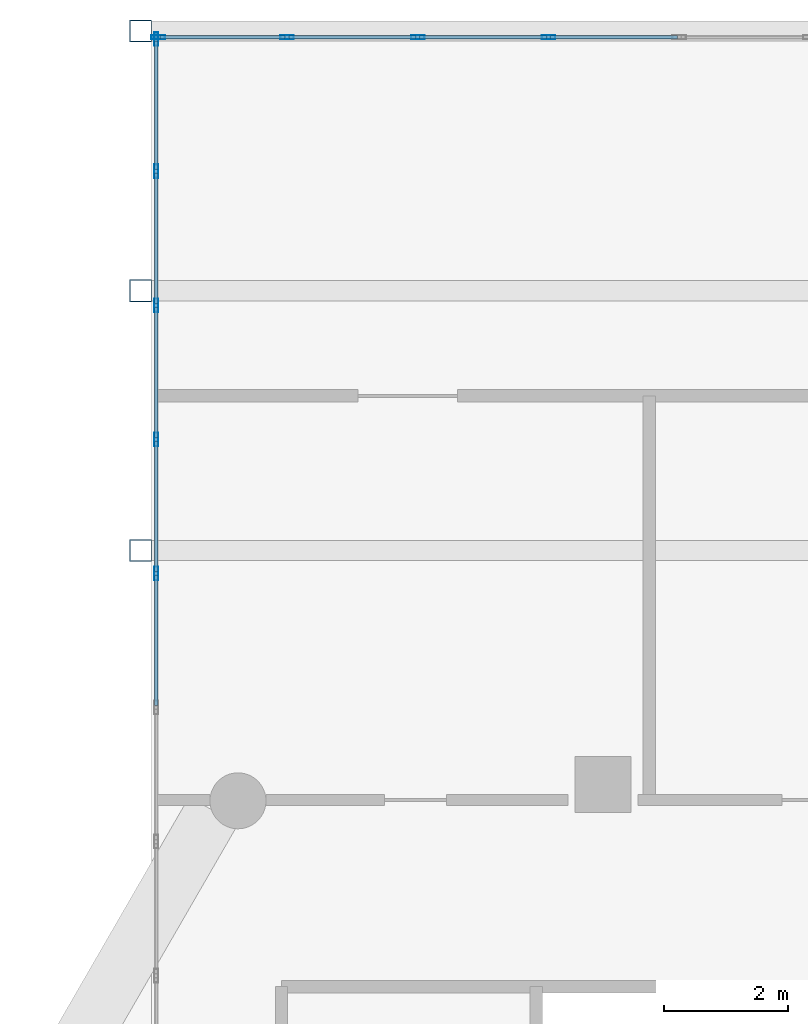
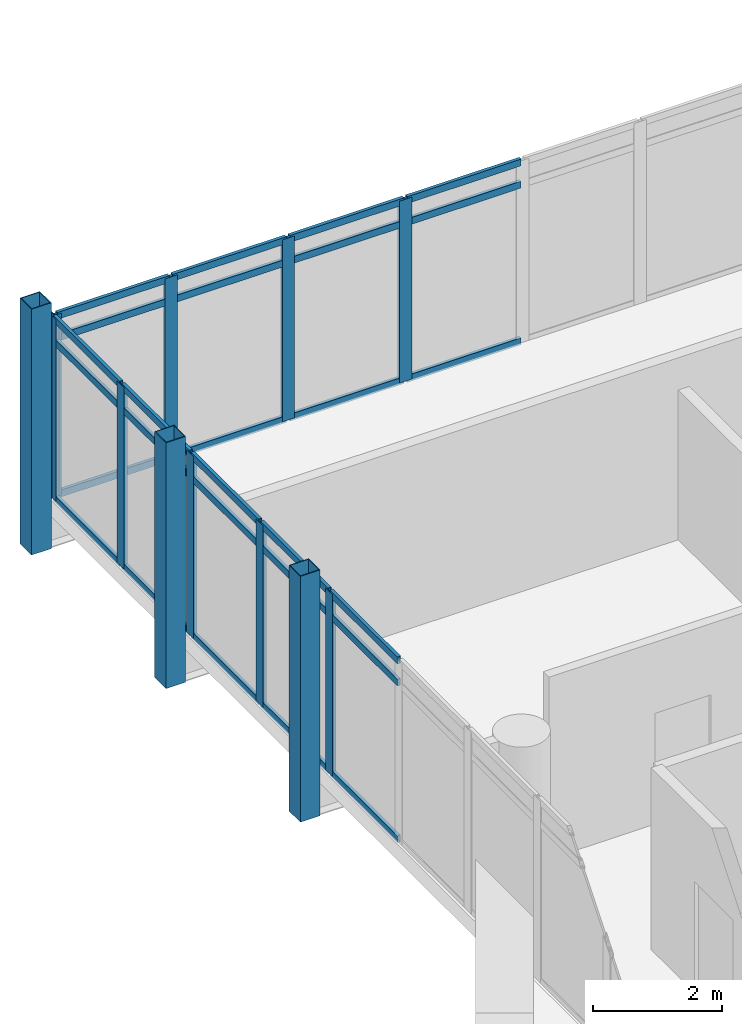
# One storey, part 13 of 25: 39 members, 2 elements without a shape of their own.
"""IFC4 building model written with IfcOpenShell, lengths in metres."""

from ifc_helpers import new_model, si_unit, direction, frame, origin, origin_2d, place, context, subcontext, project, spatial, hollow_rectangle, extrude, material, material_profile, profile_set, type_object, element, aggregate, save


model = new_model("IFC4")

# Units and contexts
model_context = context("Model", 3, precision=1e-05, world=origin(), true_north=direction((0.0, 1.0)))
body_context = subcontext(model_context, "Body", "Model", "MODEL_VIEW")
ifc_project = project(units=[si_unit("LENGTHUNIT", "METRE"), si_unit("AREAUNIT", "SQUARE_METRE"), si_unit("VOLUMEUNIT", "CUBIC_METRE"), si_unit("PLANEANGLEUNIT", "RADIAN"), si_unit("MASSUNIT", "GRAM", prefix="KILO")], contexts=[model_context])

# Site, building, storey
site_placement = place(None, origin())
site = spatial("IfcSite", under=ifc_project, at=site_placement, CompositionType="ELEMENT")
building_placement = place(site_placement, origin())
building = spatial("IfcBuilding", under=site, at=building_placement, Name="Ostrander Bayou Hotel Tower", CompositionType="ELEMENT")
storey_placement = place(building_placement, frame((0.0, 0.0, 233.25)))
storey = spatial("IfcBuildingStorey", under=building, at=storey_placement, Name="L58", CompositionType="ELEMENT", Elevation=233.25)

# Curtain wall, members
ifc_material_1 = material(Name="Aluminium and clear glass", Category="aluminium")
curtain_wall_type = type_object("IfcCurtainWallType", Name="CW-BAR glazed wall", PredefinedType="NOTDEFINED", material=ifc_material_1)
curtain_wall_1_placement = place(storey_placement, origin())
curtain_wall_1 = element("IfcCurtainWall", 1, at=curtain_wall_1_placement, inside=storey, type_object=curtain_wall_type, Name="CW-BAR L58:SB5N:E", PredefinedType="NOTDEFINED")
ifc_material_2 = material(Name="Aluminium", Category="aluminium")
ifc_material_profile_1 = material_profile(ifc_material_2, hollow_rectangle(XDim=0.06005859375, YDim=0.219970703125, WallThickness=0.00390625, at=origin_2d()))
ifc_profile_set_1 = profile_set([ifc_material_profile_1], Name="Aluminium")
member_type_1 = type_object("IfcMemberType", Name="CW-BR mullion 60 x 220 mm", PredefinedType="MULLION", material=ifc_profile_set_1)
member_1_placement = place(storey_placement, frame((-10.51220703125, 20.24365234375, 0.0), z_axis=(0.0, 0.0, 1.0), x_axis=(-1.0, 0.0, 0.0)))
member_1 = element("IfcMember", 2, at=member_1_placement, type_object=member_type_1, Name="CW-BAR mullion 6", PredefinedType="MULLION", context=body_context, shape_type="SweptSolid", body=[
    extrude(hollow_rectangle(XDim=0.06005859375, YDim=0.219970703125, WallThickness=0.00390625, at=origin_2d()), origin(), (0.0, 0.0, 1.0), 3.449951171875),
])
member_2_placement = place(storey_placement, frame((-10.51220703125, 22.3994140625, 0.0), z_axis=(0.0, 0.0, 1.0), x_axis=(-1.0, 0.0, 0.0)))
member_2 = element("IfcMember", 3, at=member_2_placement, type_object=member_type_1, Name="CW-BAR mullion 7", PredefinedType="MULLION", context=body_context, shape_type="SweptSolid", body=[
    extrude(hollow_rectangle(XDim=0.06005859375, YDim=0.219970703125, WallThickness=0.00390625, at=origin_2d()), origin(), (0.0, 0.0, 1.0), 3.449951171875),
])
member_3_placement = place(storey_placement, frame((-10.51220703125, 24.55517578125, 0.0), z_axis=(0.0, 0.0, 1.0), x_axis=(-1.0, 0.0, 0.0)))
member_3 = element("IfcMember", 4, at=member_3_placement, type_object=member_type_1, Name="CW-BAR mullion 8", PredefinedType="MULLION", context=body_context, shape_type="SweptSolid", body=[
    extrude(hollow_rectangle(XDim=0.06005859375, YDim=0.219970703125, WallThickness=0.00390625, at=origin_2d()), origin(), (0.0, 0.0, 1.0), 3.449951171875),
])
member_4_placement = place(storey_placement, frame((-10.51220703125, 26.7109375, 0.0), z_axis=(0.0, 0.0, 1.0), x_axis=(-1.0, 0.0, 0.0)))
member_4 = element("IfcMember", 5, at=member_4_placement, type_object=member_type_1, Name="CW-BAR mullion 9", PredefinedType="MULLION", context=body_context, shape_type="SweptSolid", body=[
    extrude(hollow_rectangle(XDim=0.06005859375, YDim=0.219970703125, WallThickness=0.00390625, at=origin_2d()), origin(), (0.0, 0.0, 1.0), 3.449951171875),
])
member_5_placement = place(storey_placement, frame((-10.51220703125, 28.836669921875, 0.0), z_axis=(0.0, 0.0, 1.0), x_axis=(-1.0, 0.0, 0.0)))
member_5 = element("IfcMember", 6, at=member_5_placement, type_object=member_type_1, Name="CW-BAR mullion 10", PredefinedType="MULLION", context=body_context, shape_type="SweptSolid", body=[
    extrude(hollow_rectangle(XDim=0.06005859375, YDim=0.219970703125, WallThickness=0.00390625, at=origin_2d()), origin(), (0.0, 0.0, 1.0), 3.449951171875),
])

curtain_wall_2_placement = place(storey_placement, origin())
curtain_wall_2 = element("IfcCurtainWall", 7, at=curtain_wall_2_placement, inside=storey, type_object=curtain_wall_type, Name="CW-BAR L58:SB5N:T", PredefinedType="NOTDEFINED")
member_6_placement = place(storey_placement, frame((-10.482177734375, 28.86669921875, 0.0), z_axis=(0.0, 0.0, 1.0), x_axis=(0.0, 1.0, 0.0)))
member_6 = element("IfcMember", 8, at=member_6_placement, type_object=member_type_1, Name="CW-BAR mullion 1", PredefinedType="MULLION", context=body_context, shape_type="SweptSolid", body=[
    extrude(hollow_rectangle(XDim=0.06005859375, YDim=0.219970703125, WallThickness=0.00390625, at=origin_2d()), origin(), (0.0, 0.0, 1.0), 3.449951171875),
])
member_7_placement = place(storey_placement, frame((-8.40966796875, 28.86669921875, 0.0), z_axis=(0.0, 0.0, 1.0), x_axis=(0.0, 1.0, 0.0)))
member_7 = element("IfcMember", 9, at=member_7_placement, type_object=member_type_1, Name="CW-BAR mullion 2", PredefinedType="MULLION", context=body_context, shape_type="SweptSolid", body=[
    extrude(hollow_rectangle(XDim=0.06005859375, YDim=0.219970703125, WallThickness=0.00390625, at=origin_2d()), origin(), (0.0, 0.0, 1.0), 3.449951171875),
])
member_8_placement = place(storey_placement, frame((-6.307373046875, 28.86669921875, 0.0), z_axis=(0.0, 0.0, 1.0), x_axis=(0.0, 1.0, 0.0)))
member_8 = element("IfcMember", 10, at=member_8_placement, type_object=member_type_1, Name="CW-BAR mullion 3", PredefinedType="MULLION", context=body_context, shape_type="SweptSolid", body=[
    extrude(hollow_rectangle(XDim=0.06005859375, YDim=0.219970703125, WallThickness=0.00390625, at=origin_2d()), origin(), (0.0, 0.0, 1.0), 3.449951171875),
])
member_9_placement = place(storey_placement, frame((-4.204833984375, 28.86669921875, 0.0), z_axis=(0.0, 0.0, 1.0), x_axis=(0.0, 1.0, 0.0)))
member_9 = element("IfcMember", 11, at=member_9_placement, type_object=member_type_1, Name="CW-BAR mullion 4", PredefinedType="MULLION", context=body_context, shape_type="SweptSolid", body=[
    extrude(hollow_rectangle(XDim=0.06005859375, YDim=0.219970703125, WallThickness=0.00390625, at=origin_2d()), origin(), (0.0, 0.0, 1.0), 3.449951171875),
])

# Member
ifc_material_3 = material(Name="Aluminium", Category="aluminium")
ifc_material_profile_2 = material_profile(ifc_material_3, hollow_rectangle(XDim=0.06005859375, YDim=0.1298828125, WallThickness=0.00390625, at=origin_2d()))
ifc_profile_set_2 = profile_set([ifc_material_profile_2], Name="Aluminium")
member_type_2 = type_object("IfcMemberType", Name="CW-BR transom 60 x 130 mm", PredefinedType="USERDEFINED", material=ifc_profile_set_2)
member_10_placement = place(storey_placement, frame((-10.51220703125, 18.117919921875, 0.030029296875), z_axis=(0.0, 1.0, 0.0), x_axis=(-1.0, 0.0, 0.0)))
member_10 = element("IfcMember", 12, at=member_10_placement, type_object=member_type_2, Name="CW-BAR transom 5.1", ObjectType="TRANSOM", PredefinedType="USERDEFINED", context=body_context, shape_type="SweptSolid", body=[
    extrude(hollow_rectangle(XDim=0.06005859375, YDim=0.1298828125, WallThickness=0.00390625, at=origin_2d()), origin(), (0.0, 0.0, 1.0), 2.095703125),
])

member_11_placement = place(storey_placement, frame((-10.51220703125, 18.117919921875, 3.0), z_axis=(0.0, 1.0, 0.0), x_axis=(-1.0, 0.0, 0.0)))
member_11 = element("IfcMember", 13, at=member_11_placement, type_object=member_type_2, Name="CW-BAR transom 5.2", ObjectType="TRANSOM", PredefinedType="USERDEFINED", context=body_context, shape_type="SweptSolid", body=[
    extrude(hollow_rectangle(XDim=0.06005859375, YDim=0.1298828125, WallThickness=0.00390625, at=origin_2d()), origin(), (0.0, 0.0, 1.0), 2.095703125),
])

member_12_placement = place(storey_placement, frame((-10.51220703125, 18.117919921875, 3.419921875), z_axis=(0.0, 1.0, 0.0), x_axis=(-1.0, 0.0, 0.0)))
member_12 = element("IfcMember", 14, at=member_12_placement, type_object=member_type_2, Name="CW-BAR transom 5.3", ObjectType="TRANSOM", PredefinedType="USERDEFINED", context=body_context, shape_type="SweptSolid", body=[
    extrude(hollow_rectangle(XDim=0.06005859375, YDim=0.1298828125, WallThickness=0.00390625, at=origin_2d()), origin(), (0.0, 0.0, 1.0), 2.095703125),
])

member_13_placement = place(storey_placement, frame((-10.51220703125, 20.273681640625, 0.030029296875), z_axis=(0.0, 1.0, 0.0), x_axis=(-1.0, 0.0, 0.0)))
member_13 = element("IfcMember", 15, at=member_13_placement, type_object=member_type_2, Name="CW-BAR transom 6.1", ObjectType="TRANSOM", PredefinedType="USERDEFINED", context=body_context, shape_type="SweptSolid", body=[
    extrude(hollow_rectangle(XDim=0.06005859375, YDim=0.1298828125, WallThickness=0.00390625, at=origin_2d()), origin(), (0.0, 0.0, 1.0), 2.095703125),
])

member_14_placement = place(storey_placement, frame((-10.51220703125, 20.273681640625, 3.0), z_axis=(0.0, 1.0, 0.0), x_axis=(-1.0, 0.0, 0.0)))
member_14 = element("IfcMember", 16, at=member_14_placement, type_object=member_type_2, Name="CW-BAR transom 6.2", ObjectType="TRANSOM", PredefinedType="USERDEFINED", context=body_context, shape_type="SweptSolid", body=[
    extrude(hollow_rectangle(XDim=0.06005859375, YDim=0.1298828125, WallThickness=0.00390625, at=origin_2d()), origin(), (0.0, 0.0, 1.0), 2.095703125),
])

member_15_placement = place(storey_placement, frame((-10.51220703125, 20.273681640625, 3.419921875), z_axis=(0.0, 1.0, 0.0), x_axis=(-1.0, 0.0, 0.0)))
member_15 = element("IfcMember", 17, at=member_15_placement, type_object=member_type_2, Name="CW-BAR transom 6.3", ObjectType="TRANSOM", PredefinedType="USERDEFINED", context=body_context, shape_type="SweptSolid", body=[
    extrude(hollow_rectangle(XDim=0.06005859375, YDim=0.1298828125, WallThickness=0.00390625, at=origin_2d()), origin(), (0.0, 0.0, 1.0), 2.095703125),
])

member_16_placement = place(storey_placement, frame((-10.51220703125, 22.429443359375, 0.030029296875), z_axis=(0.0, 1.0, 0.0), x_axis=(-1.0, 0.0, 0.0)))
member_16 = element("IfcMember", 18, at=member_16_placement, type_object=member_type_2, Name="CW-BAR transom 7.1", ObjectType="TRANSOM", PredefinedType="USERDEFINED", context=body_context, shape_type="SweptSolid", body=[
    extrude(hollow_rectangle(XDim=0.06005859375, YDim=0.1298828125, WallThickness=0.00390625, at=origin_2d()), origin(), (0.0, 0.0, 1.0), 2.095703125),
])

member_17_placement = place(storey_placement, frame((-10.51220703125, 22.429443359375, 3.0), z_axis=(0.0, 1.0, 0.0), x_axis=(-1.0, 0.0, 0.0)))
member_17 = element("IfcMember", 19, at=member_17_placement, type_object=member_type_2, Name="CW-BAR transom 7.2", ObjectType="TRANSOM", PredefinedType="USERDEFINED", context=body_context, shape_type="SweptSolid", body=[
    extrude(hollow_rectangle(XDim=0.06005859375, YDim=0.1298828125, WallThickness=0.00390625, at=origin_2d()), origin(), (0.0, 0.0, 1.0), 2.095703125),
])

member_18_placement = place(storey_placement, frame((-10.51220703125, 22.429443359375, 3.419921875), z_axis=(0.0, 1.0, 0.0), x_axis=(-1.0, 0.0, 0.0)))
member_18 = element("IfcMember", 20, at=member_18_placement, type_object=member_type_2, Name="CW-BAR transom 7.3", ObjectType="TRANSOM", PredefinedType="USERDEFINED", context=body_context, shape_type="SweptSolid", body=[
    extrude(hollow_rectangle(XDim=0.06005859375, YDim=0.1298828125, WallThickness=0.00390625, at=origin_2d()), origin(), (0.0, 0.0, 1.0), 2.095703125),
])

member_19_placement = place(storey_placement, frame((-10.51220703125, 24.585205078125, 0.030029296875), z_axis=(0.0, 1.0, 0.0), x_axis=(-1.0, 0.0, 0.0)))
member_19 = element("IfcMember", 21, at=member_19_placement, type_object=member_type_2, Name="CW-BAR transom 8.1", ObjectType="TRANSOM", PredefinedType="USERDEFINED", context=body_context, shape_type="SweptSolid", body=[
    extrude(hollow_rectangle(XDim=0.06005859375, YDim=0.1298828125, WallThickness=0.00390625, at=origin_2d()), origin(), (0.0, 0.0, 1.0), 2.095703125),
])

member_20_placement = place(storey_placement, frame((-10.51220703125, 24.585205078125, 3.0), z_axis=(0.0, 1.0, 0.0), x_axis=(-1.0, 0.0, 0.0)))
member_20 = element("IfcMember", 22, at=member_20_placement, type_object=member_type_2, Name="CW-BAR transom 8.2", ObjectType="TRANSOM", PredefinedType="USERDEFINED", context=body_context, shape_type="SweptSolid", body=[
    extrude(hollow_rectangle(XDim=0.06005859375, YDim=0.1298828125, WallThickness=0.00390625, at=origin_2d()), origin(), (0.0, 0.0, 1.0), 2.095703125),
])

member_21_placement = place(storey_placement, frame((-10.51220703125, 24.585205078125, 3.419921875), z_axis=(0.0, 1.0, 0.0), x_axis=(-1.0, 0.0, 0.0)))
member_21 = element("IfcMember", 23, at=member_21_placement, type_object=member_type_2, Name="CW-BAR transom 8.3", ObjectType="TRANSOM", PredefinedType="USERDEFINED", context=body_context, shape_type="SweptSolid", body=[
    extrude(hollow_rectangle(XDim=0.06005859375, YDim=0.1298828125, WallThickness=0.00390625, at=origin_2d()), origin(), (0.0, 0.0, 1.0), 2.095703125),
])

member_22_placement = place(storey_placement, frame((-10.51220703125, 26.740966796875, 0.030029296875), z_axis=(0.0, 1.0, 0.0), x_axis=(-1.0, 0.0, 0.0)))
member_22 = element("IfcMember", 24, at=member_22_placement, type_object=member_type_2, Name="CW-BAR transom 9.1", ObjectType="TRANSOM", PredefinedType="USERDEFINED", context=body_context, shape_type="SweptSolid", body=[
    extrude(hollow_rectangle(XDim=0.06005859375, YDim=0.1298828125, WallThickness=0.00390625, at=origin_2d()), origin(), (0.0, 0.0, 1.0), 2.065673828125),
])

member_23_placement = place(storey_placement, frame((-10.51220703125, 26.740966796875, 3.0), z_axis=(0.0, 1.0, 0.0), x_axis=(-1.0, 0.0, 0.0)))
member_23 = element("IfcMember", 25, at=member_23_placement, type_object=member_type_2, Name="CW-BAR transom 9.2", ObjectType="TRANSOM", PredefinedType="USERDEFINED", context=body_context, shape_type="SweptSolid", body=[
    extrude(hollow_rectangle(XDim=0.06005859375, YDim=0.1298828125, WallThickness=0.00390625, at=origin_2d()), origin(), (0.0, 0.0, 1.0), 2.065673828125),
])

member_24_placement = place(storey_placement, frame((-10.51220703125, 26.740966796875, 3.419921875), z_axis=(0.0, 1.0, 0.0), x_axis=(-1.0, 0.0, 0.0)))
member_24 = element("IfcMember", 26, at=member_24_placement, type_object=member_type_2, Name="CW-BAR transom 9.3", ObjectType="TRANSOM", PredefinedType="USERDEFINED", context=body_context, shape_type="SweptSolid", body=[
    extrude(hollow_rectangle(XDim=0.06005859375, YDim=0.1298828125, WallThickness=0.00390625, at=origin_2d()), origin(), (0.0, 0.0, 1.0), 2.065673828125),
])

aggregate(curtain_wall_1, [member_1, member_2, member_3, member_4, member_5, member_10, member_11, member_12, member_13, member_14, member_15, member_16, member_17, member_18, member_19, member_20, member_21, member_22, member_23, member_24])

member_25_placement = place(storey_placement, frame((-10.4521484375, 28.86669921875, 0.030029296875), z_axis=(1.0, 0.0, 0.0), x_axis=(0.0, 1.0, 0.0)))
member_25 = element("IfcMember", 27, at=member_25_placement, type_object=member_type_2, Name="CW-BAR transom 1.1", ObjectType="TRANSOM", PredefinedType="USERDEFINED", context=body_context, shape_type="SweptSolid", body=[
    extrude(hollow_rectangle(XDim=0.06005859375, YDim=0.1298828125, WallThickness=0.00390625, at=origin_2d()), origin(), (0.0, 0.0, 1.0), 2.012451171875),
])

member_26_placement = place(storey_placement, frame((-10.4521484375, 28.86669921875, 3.0), z_axis=(1.0, 0.0, 0.0), x_axis=(0.0, 1.0, 0.0)))
member_26 = element("IfcMember", 28, at=member_26_placement, type_object=member_type_2, Name="CW-BAR transom 1.2", ObjectType="TRANSOM", PredefinedType="USERDEFINED", context=body_context, shape_type="SweptSolid", body=[
    extrude(hollow_rectangle(XDim=0.06005859375, YDim=0.1298828125, WallThickness=0.00390625, at=origin_2d()), origin(), (0.0, 0.0, 1.0), 2.012451171875),
])

member_27_placement = place(storey_placement, frame((-10.4521484375, 28.86669921875, 3.419921875), z_axis=(1.0, 0.0, 0.0), x_axis=(0.0, 1.0, 0.0)))
member_27 = element("IfcMember", 29, at=member_27_placement, type_object=member_type_2, Name="CW-BAR transom 1.3", ObjectType="TRANSOM", PredefinedType="USERDEFINED", context=body_context, shape_type="SweptSolid", body=[
    extrude(hollow_rectangle(XDim=0.06005859375, YDim=0.1298828125, WallThickness=0.00390625, at=origin_2d()), origin(), (0.0, 0.0, 1.0), 2.012451171875),
])

member_28_placement = place(storey_placement, frame((-8.379638671875, 28.86669921875, 0.030029296875), z_axis=(1.0, 0.0, 0.0), x_axis=(0.0, 1.0, 0.0)))
member_28 = element("IfcMember", 30, at=member_28_placement, type_object=member_type_2, Name="CW-BAR transom 2.1", ObjectType="TRANSOM", PredefinedType="USERDEFINED", context=body_context, shape_type="SweptSolid", body=[
    extrude(hollow_rectangle(XDim=0.06005859375, YDim=0.1298828125, WallThickness=0.00390625, at=origin_2d()), origin(), (0.0, 0.0, 1.0), 2.042236328125),
])

member_29_placement = place(storey_placement, frame((-8.379638671875, 28.86669921875, 3.0), z_axis=(1.0, 0.0, 0.0), x_axis=(0.0, 1.0, 0.0)))
member_29 = element("IfcMember", 31, at=member_29_placement, type_object=member_type_2, Name="CW-BAR transom 2.2", ObjectType="TRANSOM", PredefinedType="USERDEFINED", context=body_context, shape_type="SweptSolid", body=[
    extrude(hollow_rectangle(XDim=0.06005859375, YDim=0.1298828125, WallThickness=0.00390625, at=origin_2d()), origin(), (0.0, 0.0, 1.0), 2.042236328125),
])

member_30_placement = place(storey_placement, frame((-8.379638671875, 28.86669921875, 3.419921875), z_axis=(1.0, 0.0, 0.0), x_axis=(0.0, 1.0, 0.0)))
member_30 = element("IfcMember", 32, at=member_30_placement, type_object=member_type_2, Name="CW-BAR transom 2.3", ObjectType="TRANSOM", PredefinedType="USERDEFINED", context=body_context, shape_type="SweptSolid", body=[
    extrude(hollow_rectangle(XDim=0.06005859375, YDim=0.1298828125, WallThickness=0.00390625, at=origin_2d()), origin(), (0.0, 0.0, 1.0), 2.042236328125),
])

member_31_placement = place(storey_placement, frame((-6.27734375, 28.86669921875, 0.030029296875), z_axis=(1.0, 0.0, 0.0), x_axis=(0.0, 1.0, 0.0)))
member_31 = element("IfcMember", 33, at=member_31_placement, type_object=member_type_2, Name="CW-BAR transom 3.1", ObjectType="TRANSOM", PredefinedType="USERDEFINED", context=body_context, shape_type="SweptSolid", body=[
    extrude(hollow_rectangle(XDim=0.06005859375, YDim=0.1298828125, WallThickness=0.00390625, at=origin_2d()), origin(), (0.0, 0.0, 1.0), 2.04248046875),
])

member_32_placement = place(storey_placement, frame((-6.27734375, 28.86669921875, 3.0), z_axis=(1.0, 0.0, 0.0), x_axis=(0.0, 1.0, 0.0)))
member_32 = element("IfcMember", 34, at=member_32_placement, type_object=member_type_2, Name="CW-BAR transom 3.2", ObjectType="TRANSOM", PredefinedType="USERDEFINED", context=body_context, shape_type="SweptSolid", body=[
    extrude(hollow_rectangle(XDim=0.06005859375, YDim=0.1298828125, WallThickness=0.00390625, at=origin_2d()), origin(), (0.0, 0.0, 1.0), 2.04248046875),
])

member_33_placement = place(storey_placement, frame((-6.27734375, 28.86669921875, 3.419921875), z_axis=(1.0, 0.0, 0.0), x_axis=(0.0, 1.0, 0.0)))
member_33 = element("IfcMember", 35, at=member_33_placement, type_object=member_type_2, Name="CW-BAR transom 3.3", ObjectType="TRANSOM", PredefinedType="USERDEFINED", context=body_context, shape_type="SweptSolid", body=[
    extrude(hollow_rectangle(XDim=0.06005859375, YDim=0.1298828125, WallThickness=0.00390625, at=origin_2d()), origin(), (0.0, 0.0, 1.0), 2.04248046875),
])

member_34_placement = place(storey_placement, frame((-4.1748046875, 28.86669921875, 0.030029296875), z_axis=(1.0, 0.0, 0.0), x_axis=(0.0, 1.0, 0.0)))
member_34 = element("IfcMember", 36, at=member_34_placement, type_object=member_type_2, Name="CW-BAR transom 4.1", ObjectType="TRANSOM", PredefinedType="USERDEFINED", context=body_context, shape_type="SweptSolid", body=[
    extrude(hollow_rectangle(XDim=0.06005859375, YDim=0.1298828125, WallThickness=0.00390625, at=origin_2d()), origin(), (0.0, 0.0, 1.0), 2.04248046875),
])

member_35_placement = place(storey_placement, frame((-4.1748046875, 28.86669921875, 3.0), z_axis=(1.0, 0.0, 0.0), x_axis=(0.0, 1.0, 0.0)))
member_35 = element("IfcMember", 37, at=member_35_placement, type_object=member_type_2, Name="CW-BAR transom 4.2", ObjectType="TRANSOM", PredefinedType="USERDEFINED", context=body_context, shape_type="SweptSolid", body=[
    extrude(hollow_rectangle(XDim=0.06005859375, YDim=0.1298828125, WallThickness=0.00390625, at=origin_2d()), origin(), (0.0, 0.0, 1.0), 2.04248046875),
])

member_36_placement = place(storey_placement, frame((-4.1748046875, 28.86669921875, 3.419921875), z_axis=(1.0, 0.0, 0.0), x_axis=(0.0, 1.0, 0.0)))
member_36 = element("IfcMember", 38, at=member_36_placement, type_object=member_type_2, Name="CW-BAR transom 4.3", ObjectType="TRANSOM", PredefinedType="USERDEFINED", context=body_context, shape_type="SweptSolid", body=[
    extrude(hollow_rectangle(XDim=0.06005859375, YDim=0.1298828125, WallThickness=0.00390625, at=origin_2d()), origin(), (0.0, 0.0, 1.0), 2.04248046875),
])

aggregate(curtain_wall_2, [member_6, member_7, member_8, member_9, member_25, member_26, member_27, member_28, member_29, member_30, member_31, member_32, member_33, member_34, member_35, member_36])

# Members
ifc_material_4 = material(Name="Steel ASTM A500 Gr C", Category="steel")
ifc_material_profile_3 = material_profile(ifc_material_4, hollow_rectangle(XDim=0.355712890625, YDim=0.355712890625, WallThickness=0.0146484375, at=origin_2d()))
ifc_profile_set_3 = profile_set([ifc_material_profile_3], Name="Steel ASTM A500 Gr C")
member_type_3 = type_object("IfcMemberType", Name="TH1 bar hanger HSS14x14x5/8", PredefinedType="POST", material=ifc_profile_set_3)
for number, where, z_axis, x_axis, name in (
    (39, (-10.764892578125, 28.966552734375, -0.9111328125), (0.0, 0.0, 1.0), (1.0, 0.0, 0.0), "TH1 SB5WA H1-4"),
    (40, (-10.764892578125, 24.790283203125, -0.9111328125), (0.0, 0.0, 1.0), (1.0, 0.0, 0.0), "TH1 SB5WA H2-4"),
    (41, (-10.764892578125, 20.6142578125, -0.9111328125), (0.0, 0.0, 1.0), (1.0, 0.0, 0.0), "TH1 SB5WA H3-4"),
):
    element("IfcMember", number, at=place(storey_placement, frame(where, z_axis=z_axis, x_axis=x_axis)), inside=storey, type_object=member_type_3, Name=name, PredefinedType="POST", context=body_context, shape_type="SweptSolid", body=[
        extrude(hollow_rectangle(XDim=0.355712890625, YDim=0.355712890625, WallThickness=0.0146484375, at=origin_2d()), origin(), (0.0, 0.0, 1.0), 4.6611328125),
    ])

save(model, "model.ifc")
